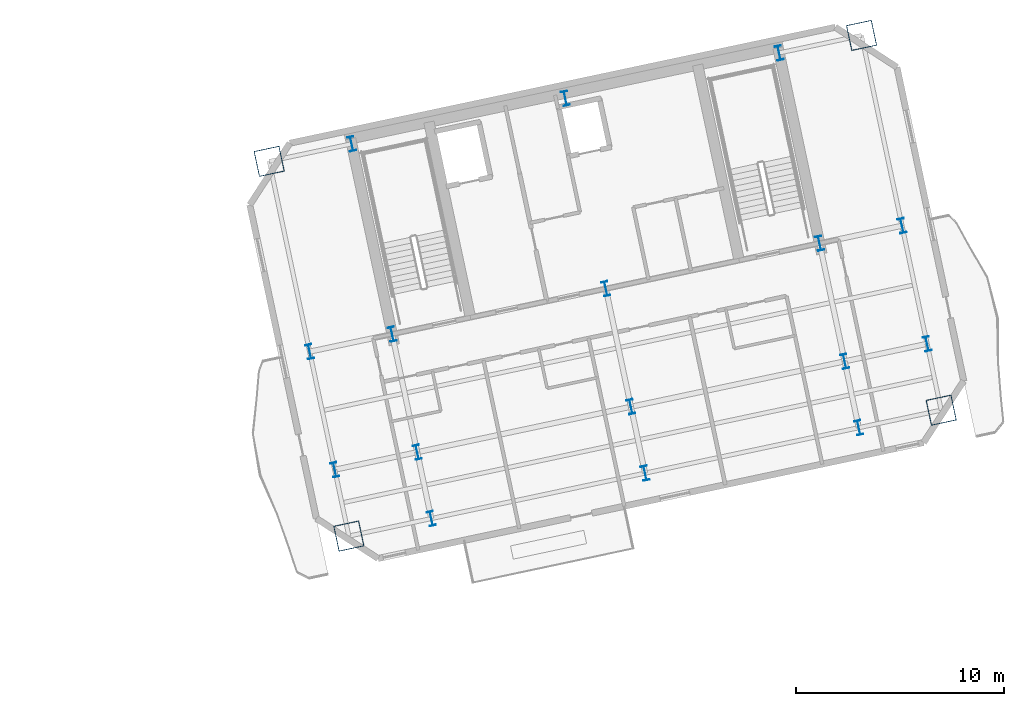
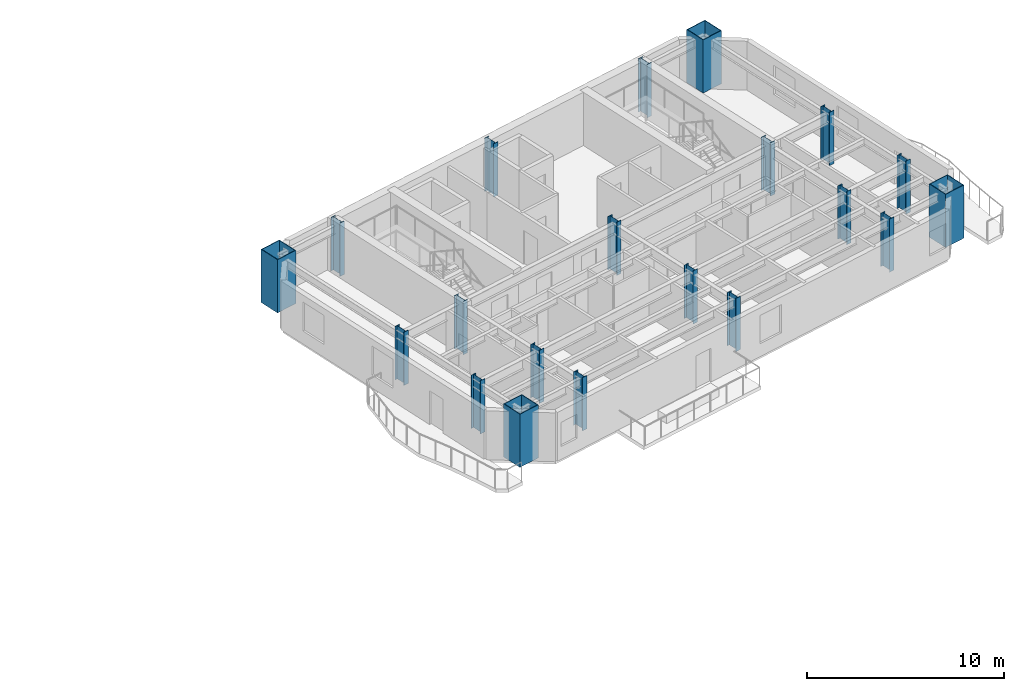
# One storey, part 2 of 13: 20 columns.
"""IFC4 building model written with IfcOpenShell, lengths in metres."""

from ifc_helpers import new_model, si_unit, direction, frame, origin, origin_2d, place, context, subcontext, project, spatial, hollow_rectangle, i_section, extrude, material, material_profile, profile_set, type_object, element, save


model = new_model("IFC4")

# Units and contexts
model_context = context("Model", 3, precision=1e-05, world=origin(), true_north=direction((0.0, 1.0)))
body_context = subcontext(model_context, "Body", "Model", "MODEL_VIEW")
ifc_project = project(units=[si_unit("LENGTHUNIT", "METRE"), si_unit("AREAUNIT", "SQUARE_METRE"), si_unit("VOLUMEUNIT", "CUBIC_METRE"), si_unit("PLANEANGLEUNIT", "RADIAN"), si_unit("MASSUNIT", "GRAM", prefix="KILO")], contexts=[model_context])

# Site, building, storey
site_placement = place(None, origin())
site = spatial("IfcSite", under=ifc_project, at=site_placement, CompositionType="ELEMENT")
building_placement = place(site_placement, origin())
building = spatial("IfcBuilding", under=site, at=building_placement, Name="Haevon Station Towers", CompositionType="ELEMENT")
storey_placement = place(building_placement, frame((0.0, 0.0, 159.300048828125)))
storey = spatial("IfcBuildingStorey", under=building, at=storey_placement, Name="L43", CompositionType="ELEMENT", Elevation=159.300048828125)

# Columns
ifc_material_1 = material(Name="Steel S460", Category="steel")
ifc_material_profile_1 = material_profile(ifc_material_1, hollow_rectangle(XDim=1.25, YDim=1.25, WallThickness=0.034912109375, at=origin_2d()), Name="BOX-1250x1250x35")
ifc_profile_set_1 = profile_set([ifc_material_profile_1], Name="Steel S460")
column_type_1 = type_object("IfcColumnType", Name="COL-MC4", PredefinedType="COLUMN", material=ifc_profile_set_1)
for number, where, z_axis, x_axis, name in (
    (1, (96.674560546875, 27.73828125, 0.0), (0.0, 0.0, 1.0), (0.978147600734, 0.207911690818, 0.0), "COL-T2-L43-01-01"),
    (2, (92.846923828125, 45.74609375, 0.0), (0.0, 0.0, 1.0), (0.978147600734, 0.207911690818, 0.0), "COL-T2-L43-01-04"),
    (3, (125.138671875, 33.78857421875, 0.0), (0.0, 0.0, 1.0), (0.978147600734, 0.207911690818, 0.0), "COL-T2-L43-05-01"),
    (4, (121.31103515625, 51.79638671875, 0.0), (0.0, 0.0, 1.0), (0.978147600734, 0.207911690818, 0.0), "COL-T2-L43-05-04"),
):
    element("IfcColumn", number, at=place(storey_placement, frame(where, z_axis=z_axis, x_axis=x_axis)), inside=storey, type_object=column_type_1, Name=name, PredefinedType="COLUMN", context=body_context, shape_type="SweptSolid", body=[
        extrude(hollow_rectangle(XDim=1.25, YDim=1.25, WallThickness=0.034912109375, at=origin_2d()), origin(), (0.0, 0.0, 1.0), 3.300048828125),
    ])
ifc_material_2 = material(Name="Steel S355", Category="steel")
ifc_material_profile_2 = material_profile(ifc_material_2, i_section(OverallWidth=0.300048828125, OverallDepth=0.699951171875, WebThickness=0.01611328125, FlangeThickness=0.028076171875, at=origin_2d()), Name="H-700x300x16x28")
ifc_profile_set_2 = profile_set([ifc_material_profile_2], Name="Steel S355")
column_type_2 = type_object("IfcColumnType", Name="COL-TW3", PredefinedType="COLUMN", material=ifc_profile_set_2)
for number, where, z_axis, x_axis, name in (
    (5, (95.996826171875, 30.927001953125, 0.0), (0.0, 0.0, 1.0), (0.978147600734, 0.207911690818, 0.0), "COL-T2-L43-01-02"),
    (6, (94.790771484375, 36.600341796875, 0.0), (0.0, 0.0, 1.0), (0.978147600734, 0.207911690818, 0.0), "COL-T2-L43-01-03"),
    (7, (100.635986328125, 28.580322265625, 0.0), (0.0, 0.0, 1.0), (0.978147600734, 0.207911690818, 0.0), "COL-T2-L43-02-01"),
    (8, (99.958251953125, 31.76904296875, 0.0), (0.0, 0.0, 1.0), (0.978147600734, 0.207911690818, 0.0), "COL-T2-L43-02-02"),
    (9, (98.75244140625, 37.4423828125, 0.0), (0.0, 0.0, 1.0), (0.978147600734, 0.207911690818, 0.0), "COL-T2-L43-02-03"),
    (10, (96.808349609375, 46.588134765625, 0.0), (0.0, 0.0, 1.0), (0.978147600734, 0.207911690818, 0.0), "COL-T2-L43-02-04"),
    (11, (110.906494140625, 30.763427734375, 0.0), (0.0, 0.0, 1.0), (0.978147600734, 0.207911690818, 0.0), "COL-T2-L43-03-01"),
    (12, (110.228759765625, 33.9521484375, 0.0), (0.0, 0.0, 1.0), (0.978147600734, 0.207911690818, 0.0), "COL-T2-L43-03-02"),
    (13, (109.02294921875, 39.62548828125, 0.0), (0.0, 0.0, 1.0), (0.978147600734, 0.207911690818, 0.0), "COL-T2-L43-03-03"),
    (14, (107.078857421875, 48.771240234375, 0.0), (0.0, 0.0, 1.0), (0.978147600734, 0.207911690818, 0.0), "COL-T2-L43-03-04"),
    (15, (121.17724609375, 32.946533203125, 0.0), (0.0, 0.0, 1.0), (0.978147600734, 0.207911690818, 0.0), "COL-T2-L43-04-01"),
    (16, (120.499267578125, 36.13525390625, 0.0), (0.0, 0.0, 1.0), (0.978147600734, 0.207911690818, 0.0), "COL-T2-L43-04-02"),
    (17, (119.29345703125, 41.80859375, 0.0), (0.0, 0.0, 1.0), (0.978147600734, 0.207911690818, 0.0), "COL-T2-L43-04-03"),
    (18, (117.349365234375, 50.954345703125, 0.0), (0.0, 0.0, 1.0), (0.978147600734, 0.207911690818, 0.0), "COL-T2-L43-04-04"),
    (19, (124.4609375, 36.977294921875, 0.0), (0.0, 0.0, 1.0), (0.978147600734, 0.207911690818, 0.0), "COL-T2-L43-05-02"),
    (20, (123.2548828125, 42.650634765625, 0.0), (0.0, 0.0, 1.0), (0.978147600734, 0.207911690818, 0.0), "COL-T2-L43-05-03"),
):
    element("IfcColumn", number, at=place(storey_placement, frame(where, z_axis=z_axis, x_axis=x_axis)), inside=storey, type_object=column_type_2, Name=name, PredefinedType="COLUMN", context=body_context, shape_type="SweptSolid", body=[
        extrude(i_section(OverallWidth=0.300048828125, OverallDepth=0.699951171875, WebThickness=0.01611328125, FlangeThickness=0.028076171875, at=origin_2d()), origin(), (0.0, 0.0, 1.0), 3.300048828125),
    ])

save(model, "model.ifc")
